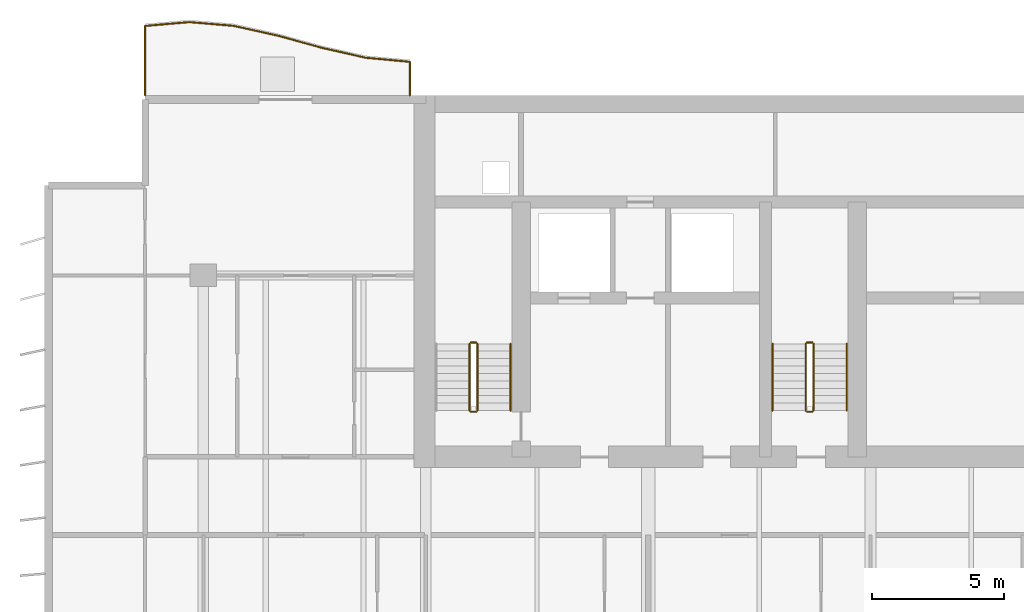
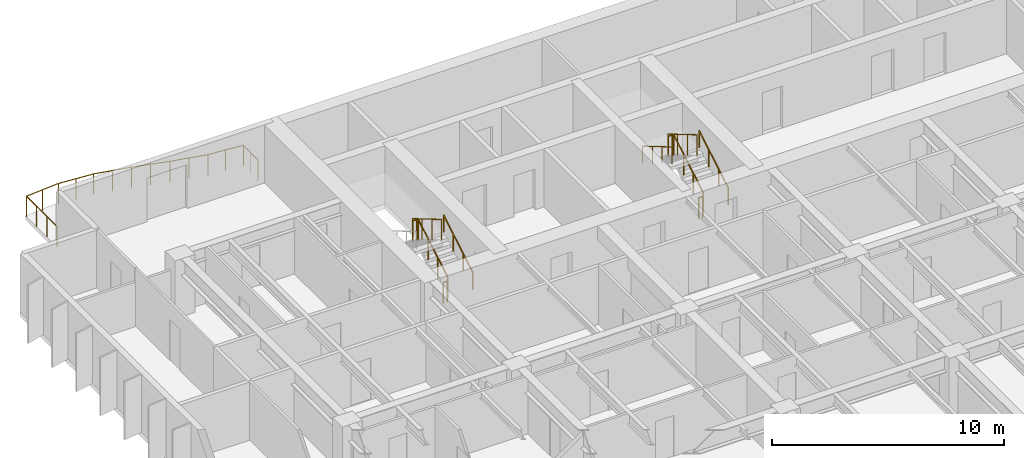
# One storey, part 13 of 15: 12 railings.
"""IFC4 building model written with IfcOpenShell, lengths in metres."""

from ifc_helpers import new_model, si_unit, direction, frame, origin, origin_2d, place, context, subcontext, project, spatial, circle, extrude, material, type_object, element, save


model = new_model("IFC4")

# Units and contexts
model_context = context("Model", 3, precision=1e-05, world=origin(), true_north=direction((0.0, 1.0)))
body_context = subcontext(model_context, "Body", "Model", "MODEL_VIEW")
ifc_project = project(units=[si_unit("LENGTHUNIT", "METRE"), si_unit("AREAUNIT", "SQUARE_METRE"), si_unit("VOLUMEUNIT", "CUBIC_METRE"), si_unit("PLANEANGLEUNIT", "RADIAN"), si_unit("MASSUNIT", "GRAM", prefix="KILO")], contexts=[model_context])

# Site, building, storey
site_placement = place(None, origin())
site = spatial("IfcSite", under=ifc_project, at=site_placement, CompositionType="ELEMENT")
building_placement = place(site_placement, origin())
building = spatial("IfcBuilding", under=site, at=building_placement, Name="Caelmar Bay Residences", CompositionType="ELEMENT")
storey_placement = place(building_placement, frame((0.0, 0.0, 138.89990234375)))
storey = spatial("IfcBuildingStorey", under=building, at=storey_placement, Name="L38", CompositionType="ELEMENT", Elevation=138.89990234375)

# Railings
ifc_material_1 = material(Name="Anodised bronze handrail with laminated hurricane glass infill", Category="glass")
railing_type_1 = type_object("IfcRailingType", Name="RL-BAL-1100", PredefinedType="BALUSTRADE", material=ifc_material_1)
railing_1_placement = place(storey_placement, frame((17.699951171875, 50.60009765625, 0.0)))
element("IfcRailing", 1, at=railing_1_placement, inside=storey, type_object=railing_type_1, Name="L38 north_west Balcony Balustrade", PredefinedType="BALUSTRADE", context=body_context, shape_type="SweptSolid", body=[
    extrude(circle(Radius=0.02392578125, at=origin_2d()), frame((0.0, 0.0, 1.076171875), z_axis=(0.0, 1.0, 0.0), x_axis=(-1.0, 0.0, 0.0)), (0.0, 0.0, 1.0), 1.270263671875),
    extrude(circle(Radius=0.02392578125, at=origin_2d()), frame((0.0, 1.270263671875, 1.076171875), z_axis=(-0.995755786783, 0.092034847145, 0.0), x_axis=(-0.092034847145, -0.995755786783, 0.0)), (0.0, 0.0, 1.0), 1.673828125),
    extrude(circle(Radius=0.02392578125, at=origin_2d()), frame((-1.666748046875, 1.42431640625, 1.076171875), z_axis=(-0.975205779848, 0.221299993112, 0.0), x_axis=(-0.221299993112, -0.975205779848, 0.0)), (0.0, 0.0, 1.0), 1.708984375),
    extrude(circle(Radius=0.02392578125, at=origin_2d()), frame((-3.333251953125, 1.802490234375, 1.076171875), z_axis=(-0.964003851304, 0.265888274792, 0.0), x_axis=(-0.265888274792, -0.964003851304, 0.0)), (0.0, 0.0, 1.0), 1.72900390625),
    extrude(circle(Radius=0.02392578125, at=origin_2d()), frame((-5.0, 2.26220703125, 1.076171875), z_axis=(-0.97637178472, 0.216097519659, 0.0), x_axis=(-0.216097519659, -0.97637178472, 0.0)), (0.0, 0.0, 1.0), 1.70703125),
    extrude(circle(Radius=0.02392578125, at=origin_2d()), frame((-6.666748046875, 2.631103515625, 1.076171875), z_axis=(-0.996543744264, 0.083069644079, 0.0), x_axis=(-0.083069644079, -0.996543744264, 0.0)), (0.0, 0.0, 1.0), 1.67236328125),
    extrude(circle(Radius=0.02392578125, at=origin_2d()), frame((-8.333251953125, 2.77001953125, 1.076171875), z_axis=(-0.996323906983, -0.085666051472, 0.0), x_axis=(0.085666051472, -0.996323906983, 0.0)), (0.0, 0.0, 1.0), 1.6728515625),
    extrude(circle(Radius=0.02392578125, at=origin_2d()), frame((-10.0, 2.626708984375, 1.076171875), z_axis=(0.0, -1.0, 0.0), x_axis=(1.0, 0.0, 0.0)), (0.0, 0.0, 1.0), 2.626708984375),
    extrude(circle(Radius=0.02099609375, at=origin_2d()), origin(), (0.0, 0.0, 1.0), 1.052001953125),
    extrude(circle(Radius=0.02099609375, at=origin_2d()), frame((0.0, 0.63525390625, 0.0)), (0.0, 0.0, 1.0), 1.052001953125),
    extrude(circle(Radius=0.02099609375, at=origin_2d()), frame((0.0, 1.270263671875, 0.0)), (0.0, 0.0, 1.0), 1.052001953125),
    extrude(circle(Radius=0.02099609375, at=origin_2d()), frame((-0.83349609375, 1.34716796875, 0.0)), (0.0, 0.0, 1.0), 1.052001953125),
    extrude(circle(Radius=0.02099609375, at=origin_2d()), frame((-1.666748046875, 1.42431640625, 0.0)), (0.0, 0.0, 1.0), 1.052001953125),
    extrude(circle(Radius=0.02099609375, at=origin_2d()), frame((-2.5, 1.61328125, 0.0)), (0.0, 0.0, 1.0), 1.052001953125),
    extrude(circle(Radius=0.02099609375, at=origin_2d()), frame((-3.333251953125, 1.802490234375, 0.0)), (0.0, 0.0, 1.0), 1.052001953125),
    extrude(circle(Radius=0.02099609375, at=origin_2d()), frame((-4.16650390625, 2.0322265625, 0.0)), (0.0, 0.0, 1.0), 1.052001953125),
    extrude(circle(Radius=0.02099609375, at=origin_2d()), frame((-5.0, 2.26220703125, 0.0)), (0.0, 0.0, 1.0), 1.052001953125),
    extrude(circle(Radius=0.02099609375, at=origin_2d()), frame((-5.83349609375, 2.44677734375, 0.0)), (0.0, 0.0, 1.0), 1.052001953125),
    extrude(circle(Radius=0.02099609375, at=origin_2d()), frame((-6.666748046875, 2.631103515625, 0.0)), (0.0, 0.0, 1.0), 1.052001953125),
    extrude(circle(Radius=0.02099609375, at=origin_2d()), frame((-7.5, 2.70068359375, 0.0)), (0.0, 0.0, 1.0), 1.052001953125),
    extrude(circle(Radius=0.02099609375, at=origin_2d()), frame((-8.333251953125, 2.77001953125, 0.0)), (0.0, 0.0, 1.0), 1.052001953125),
    extrude(circle(Radius=0.02099609375, at=origin_2d()), frame((-9.16650390625, 2.6982421875, 0.0)), (0.0, 0.0, 1.0), 1.052001953125),
    extrude(circle(Radius=0.02099609375, at=origin_2d()), frame((-10.0, 2.626708984375, 0.0)), (0.0, 0.0, 1.0), 1.052001953125),
    extrude(circle(Radius=0.02099609375, at=origin_2d()), frame((-10.0, 1.751220703125, 0.0)), (0.0, 0.0, 1.0), 1.052001953125),
    extrude(circle(Radius=0.02099609375, at=origin_2d()), frame((-10.0, 0.87548828125, 0.0)), (0.0, 0.0, 1.0), 1.052001953125),
    extrude(circle(Radius=0.02099609375, at=origin_2d()), frame((-10.0, 0.0, 0.0)), (0.0, 0.0, 1.0), 1.052001953125),
])
ifc_material_2 = material(Name="Painted galvanized steel stair guard 1100 mm", Category="steel")
railing_type_2 = type_object("IfcRailingType", Name="RL-GRD-1100", PredefinedType="GUARDRAIL", material=ifc_material_2)
railing_2_placement = place(storey_placement, frame((20.25, 38.699951171875, 0.1650390625)))
element("IfcRailing", 2, at=railing_2_placement, inside=storey, type_object=railing_type_2, Name="L38 ST1 stair guard 1", PredefinedType="GUARDRAIL", context=body_context, shape_type="SweptSolid", body=[
    extrude(circle(Radius=0.02392578125, at=origin_2d()), frame((0.0, 0.0, 1.076171875), z_axis=(0.0, 0.86152411907, 0.507716645641), x_axis=(-1.0, 0.0, 0.0)), (0.0, 0.0, 1.0), 2.925048828125),
    extrude(circle(Radius=0.02099609375, at=origin_2d()), origin(), (0.0, 0.0, 1.0), 1.052001953125),
    extrude(circle(Radius=0.02099609375, at=origin_2d()), frame((0.0, 0.840087890625, 0.4951171875)), (0.0, 0.0, 1.0), 1.052001953125),
    extrude(circle(Radius=0.02099609375, at=origin_2d()), frame((0.0, 1.679931640625, 0.989990234375)), (0.0, 0.0, 1.0), 1.052001953125),
    extrude(circle(Radius=0.02099609375, at=origin_2d()), frame((0.0, 2.52001953125, 1.485107421875)), (0.0, 0.0, 1.0), 1.052001953125),
])
railing_3_placement = place(storey_placement, frame((20.199951171875, 41.27001953125, 1.650146484375)))
element("IfcRailing", 3, at=railing_3_placement, inside=storey, type_object=railing_type_2, Name="L38 ST1 stair guard 2", PredefinedType="GUARDRAIL", context=body_context, shape_type="SweptSolid", body=[
    extrude(circle(Radius=0.02392578125, at=origin_2d()), frame((0.0, 0.0, 1.076171875), z_axis=(-1.0, 0.0, 0.0), x_axis=(0.0, -1.0, 0.0)), (0.0, 0.0, 1.0), 0.199951171875),
    extrude(circle(Radius=0.02099609375, at=origin_2d()), origin(), (0.0, 0.0, 1.0), 1.052001953125),
    extrude(circle(Radius=0.02099609375, at=origin_2d()), frame((-0.199951171875, 0.0, 0.0)), (0.0, 0.0, 1.0), 1.052001953125),
])
railing_4_placement = place(storey_placement, frame((19.949951171875, 41.219970703125, 1.815185546875)))
element("IfcRailing", 4, at=railing_4_placement, inside=storey, type_object=railing_type_2, Name="L38 ST1 stair guard 3", PredefinedType="GUARDRAIL", context=body_context, shape_type="SweptSolid", body=[
    extrude(circle(Radius=0.02392578125, at=origin_2d()), frame((0.0, 0.0, 1.076171875), z_axis=(0.0, -0.861560626758, 0.507654692109), x_axis=(1.0, 0.0, 0.0)), (0.0, 0.0, 1.0), 2.925048828125),
    extrude(circle(Radius=0.02099609375, at=origin_2d()), origin(), (0.0, 0.0, 1.0), 1.052001953125),
    extrude(circle(Radius=0.02099609375, at=origin_2d()), frame((0.0, -0.840087890625, 0.494873046875)), (0.0, 0.0, 1.0), 1.052001953125),
    extrude(circle(Radius=0.02099609375, at=origin_2d()), frame((0.0, -1.679931640625, 0.989990234375)), (0.0, 0.0, 1.0), 1.052001953125),
    extrude(circle(Radius=0.02099609375, at=origin_2d()), frame((0.0, -2.52001953125, 1.48486328125)), (0.0, 0.0, 1.0), 1.052001953125),
])
railing_5_placement = place(storey_placement, frame((20.199951171875, 38.64990234375, 0.0)))
element("IfcRailing", 5, at=railing_5_placement, inside=storey, type_object=railing_type_2, Name="L38 ST1 stair guard 4", PredefinedType="GUARDRAIL", context=body_context, shape_type="SweptSolid", body=[
    extrude(circle(Radius=0.02392578125, at=origin_2d()), frame((0.0, 0.0, 1.076171875), z_axis=(-1.0, 0.0, 0.0), x_axis=(0.0, -1.0, 0.0)), (0.0, 0.0, 1.0), 0.199951171875),
    extrude(circle(Radius=0.02099609375, at=origin_2d()), origin(), (0.0, 0.0, 1.0), 1.052001953125),
    extrude(circle(Radius=0.02099609375, at=origin_2d()), frame((-0.199951171875, 0.0, 0.0)), (0.0, 0.0, 1.0), 1.052001953125),
])
railing_6_placement = place(storey_placement, frame((32.949951171875, 38.699951171875, 0.1650390625)))
element("IfcRailing", 6, at=railing_6_placement, inside=storey, type_object=railing_type_2, Name="L38 ST3 stair guard 1", PredefinedType="GUARDRAIL", context=body_context, shape_type="SweptSolid", body=[
    extrude(circle(Radius=0.02392578125, at=origin_2d()), frame((0.0, 0.0, 1.076171875), z_axis=(0.0, 0.86152411907, 0.507716645641), x_axis=(-1.0, 0.0, 0.0)), (0.0, 0.0, 1.0), 2.925048828125),
    extrude(circle(Radius=0.02099609375, at=origin_2d()), origin(), (0.0, 0.0, 1.0), 1.052001953125),
    extrude(circle(Radius=0.02099609375, at=origin_2d()), frame((0.0, 0.840087890625, 0.4951171875)), (0.0, 0.0, 1.0), 1.052001953125),
    extrude(circle(Radius=0.02099609375, at=origin_2d()), frame((0.0, 1.679931640625, 0.989990234375)), (0.0, 0.0, 1.0), 1.052001953125),
    extrude(circle(Radius=0.02099609375, at=origin_2d()), frame((0.0, 2.52001953125, 1.485107421875)), (0.0, 0.0, 1.0), 1.052001953125),
])
railing_7_placement = place(storey_placement, frame((32.89990234375, 41.27001953125, 1.650146484375)))
element("IfcRailing", 7, at=railing_7_placement, inside=storey, type_object=railing_type_2, Name="L38 ST3 stair guard 2", PredefinedType="GUARDRAIL", context=body_context, shape_type="SweptSolid", body=[
    extrude(circle(Radius=0.02392578125, at=origin_2d()), frame((0.0, 0.0, 1.076171875), z_axis=(-1.0, 0.0, 0.0), x_axis=(0.0, -1.0, 0.0)), (0.0, 0.0, 1.0), 0.199951171875),
    extrude(circle(Radius=0.02099609375, at=origin_2d()), origin(), (0.0, 0.0, 1.0), 1.052001953125),
    extrude(circle(Radius=0.02099609375, at=origin_2d()), frame((-0.199951171875, 0.0, 0.0)), (0.0, 0.0, 1.0), 1.052001953125),
])
railing_8_placement = place(storey_placement, frame((32.64990234375, 41.219970703125, 1.815185546875)))
element("IfcRailing", 8, at=railing_8_placement, inside=storey, type_object=railing_type_2, Name="L38 ST3 stair guard 3", PredefinedType="GUARDRAIL", context=body_context, shape_type="SweptSolid", body=[
    extrude(circle(Radius=0.02392578125, at=origin_2d()), frame((0.0, 0.0, 1.076171875), z_axis=(0.0, -0.861560626758, 0.507654692109), x_axis=(1.0, 0.0, 0.0)), (0.0, 0.0, 1.0), 2.925048828125),
    extrude(circle(Radius=0.02099609375, at=origin_2d()), origin(), (0.0, 0.0, 1.0), 1.052001953125),
    extrude(circle(Radius=0.02099609375, at=origin_2d()), frame((0.0, -0.840087890625, 0.494873046875)), (0.0, 0.0, 1.0), 1.052001953125),
    extrude(circle(Radius=0.02099609375, at=origin_2d()), frame((0.0, -1.679931640625, 0.989990234375)), (0.0, 0.0, 1.0), 1.052001953125),
    extrude(circle(Radius=0.02099609375, at=origin_2d()), frame((0.0, -2.52001953125, 1.48486328125)), (0.0, 0.0, 1.0), 1.052001953125),
])
railing_9_placement = place(storey_placement, frame((32.89990234375, 38.64990234375, 0.0)))
element("IfcRailing", 9, at=railing_9_placement, inside=storey, type_object=railing_type_2, Name="L38 ST3 stair guard 4", PredefinedType="GUARDRAIL", context=body_context, shape_type="SweptSolid", body=[
    extrude(circle(Radius=0.02392578125, at=origin_2d()), frame((0.0, 0.0, 1.076171875), z_axis=(-1.0, 0.0, 0.0), x_axis=(0.0, -1.0, 0.0)), (0.0, 0.0, 1.0), 0.199951171875),
    extrude(circle(Radius=0.02099609375, at=origin_2d()), origin(), (0.0, 0.0, 1.0), 1.052001953125),
    extrude(circle(Radius=0.02099609375, at=origin_2d()), frame((-0.199951171875, 0.0, 0.0)), (0.0, 0.0, 1.0), 1.052001953125),
])
ifc_material_3 = material(Name="Brushed bronze stainless-steel tubular handrail 900 mm", Category="steel")
railing_type_3 = type_object("IfcRailingType", Name="RL-HND-900", PredefinedType="HANDRAIL", material=ifc_material_3)
for number, where, name in (
    (10, (21.5, 38.699951171875, 0.1650390625), "L38 ST1 stair handrail 1"),
    (11, (34.199951171875, 38.699951171875, 0.1650390625), "L38 ST3 stair handrail 1"),
):
    element("IfcRailing", number, at=place(storey_placement, frame(where)), inside=storey, type_object=railing_type_3, Name=name, PredefinedType="HANDRAIL", context=body_context, shape_type="SweptSolid", body=[
        extrude(circle(Radius=0.02392578125, at=origin_2d()), frame((0.0, 0.0, 0.8759765625), z_axis=(0.0, 0.86152411907, 0.507716645641), x_axis=(-1.0, 0.0, 0.0)), (0.0, 0.0, 1.0), 2.925048828125),
        extrude(circle(Radius=0.02099609375, at=origin_2d()), origin(), (0.0, 0.0, 1.0), 0.851806640625),
        extrude(circle(Radius=0.02099609375, at=origin_2d()), frame((0.0, 0.840087890625, 0.4951171875)), (0.0, 0.0, 1.0), 0.851806640625),
        extrude(circle(Radius=0.02099609375, at=origin_2d()), frame((0.0, 1.679931640625, 0.989990234375)), (0.0, 0.0, 1.0), 0.851806640625),
        extrude(circle(Radius=0.02099609375, at=origin_2d()), frame((0.0, 2.52001953125, 1.485107421875)), (0.0, 0.0, 1.0), 0.851806640625),
    ])
railing_10_placement = place(storey_placement, frame((31.39990234375, 41.219970703125, 1.815185546875)))
element("IfcRailing", 12, at=railing_10_placement, inside=storey, type_object=railing_type_3, Name="L38 ST3 stair handrail 2", PredefinedType="HANDRAIL", context=body_context, shape_type="SweptSolid", body=[
    extrude(circle(Radius=0.02392578125, at=origin_2d()), frame((0.0, 0.0, 0.8759765625), z_axis=(0.0, -0.861560626758, 0.507654692109), x_axis=(1.0, 0.0, 0.0)), (0.0, 0.0, 1.0), 2.925048828125),
    extrude(circle(Radius=0.02099609375, at=origin_2d()), origin(), (0.0, 0.0, 1.0), 0.851806640625),
    extrude(circle(Radius=0.02099609375, at=origin_2d()), frame((0.0, -0.840087890625, 0.494873046875)), (0.0, 0.0, 1.0), 0.851806640625),
    extrude(circle(Radius=0.02099609375, at=origin_2d()), frame((0.0, -1.679931640625, 0.989990234375)), (0.0, 0.0, 1.0), 0.851806640625),
    extrude(circle(Radius=0.02099609375, at=origin_2d()), frame((0.0, -2.52001953125, 1.48486328125)), (0.0, 0.0, 1.0), 0.851806640625),
])

save(model, "model.ifc")
